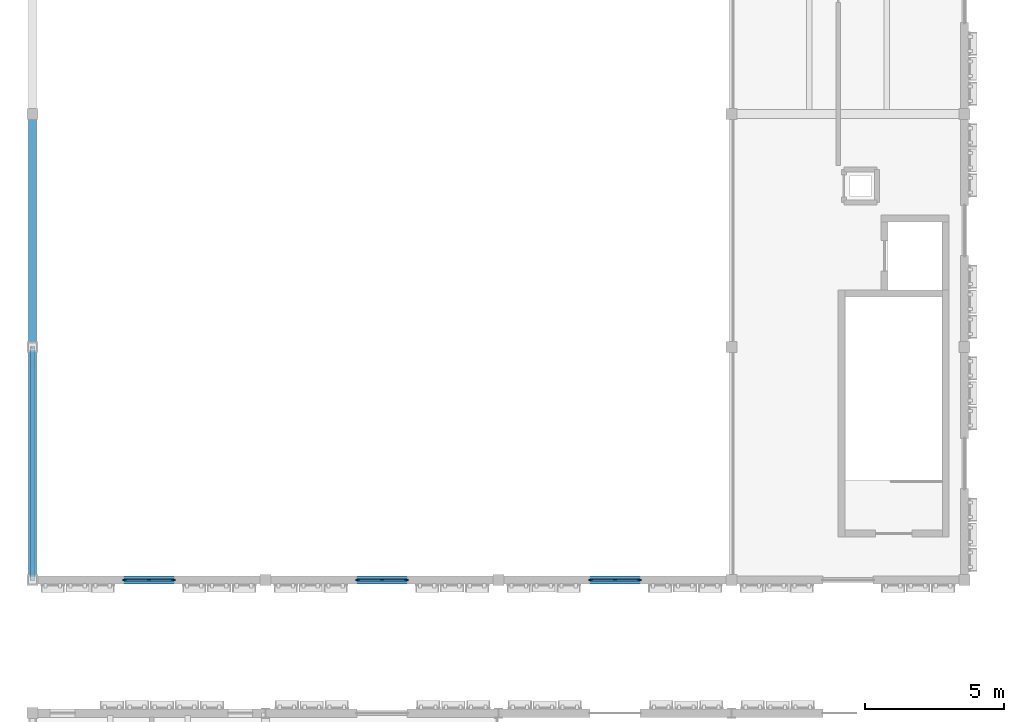
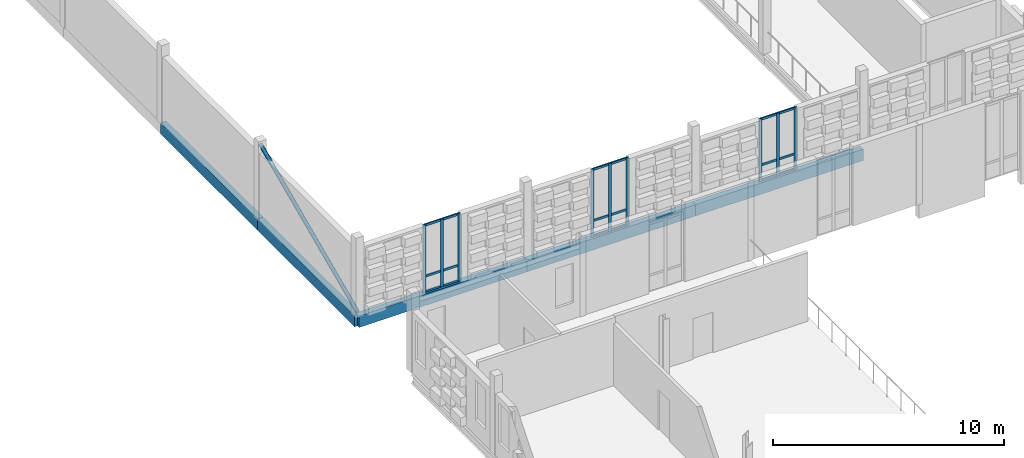
# One storey, part 9 of 81: 19 members, 5 beams, 3 elements without a shape of their own.
"""IFC4 building model written with IfcOpenShell, lengths in metres."""

from ifc_helpers import new_model, si_unit, direction, frame, origin, origin_2d, place, context, subcontext, project, spatial, rectangle, hollow_circle, extrude, material, material_profile, profile_set, type_object, element, aggregate, save


model = new_model("IFC4")

# Units and contexts
model_context = context("Model", 3, precision=1e-05, world=origin(), true_north=direction((0.0, 1.0)))
body_context = subcontext(model_context, "Body", "Model", "MODEL_VIEW")
ifc_project = project(units=[si_unit("LENGTHUNIT", "METRE"), si_unit("AREAUNIT", "SQUARE_METRE"), si_unit("VOLUMEUNIT", "CUBIC_METRE"), si_unit("PLANEANGLEUNIT", "RADIAN"), si_unit("MASSUNIT", "GRAM", prefix="KILO")], contexts=[model_context])

# Site, building, storey
site_placement = place(None, origin())
site = spatial("IfcSite", under=ifc_project, at=site_placement, CompositionType="ELEMENT")
building_placement = place(site_placement, origin())
building = spatial("IfcBuilding", under=site, at=building_placement, Name="Kahlenmark Community Centre", CompositionType="ELEMENT")
storey_placement = place(building_placement, frame((0.0, 0.0, 9.60009765625)))
storey = spatial("IfcBuildingStorey", under=building, at=storey_placement, Name="L02", CompositionType="ELEMENT", Elevation=9.60009765625)

# Beams
ifc_material_1 = material(Name="Glulam GL32h", Category="wood")
ifc_material_profile_1 = material_profile(ifc_material_1, rectangle(XDim=0.280029296875, YDim=0.60009765625, at=origin_2d()), Name="GL32h 280x600")
ifc_profile_set_1 = profile_set([ifc_material_profile_1], Name="Glulam GL32h")
beam_type = type_object("IfcBeamType", Name="BT-SPANDREL-GL32h280x600", PredefinedType="SPANDREL", material=ifc_profile_set_1)
beam_1_placement = place(storey_placement, frame((4.0, 42.39990234375, -0.300048828125), z_axis=(1.0, 0.0, 0.0), x_axis=(0.0, 1.0, 0.0)))
element("IfcBeam", 1, at=beam_1_placement, inside=storey, type_object=beam_type, Name="L02 spandrel SP-GL32h280x600", PredefinedType="SPANDREL", context=body_context, shape_type="SweptSolid", body=[
    extrude(rectangle(XDim=0.280029296875, YDim=0.60009765625, at=origin_2d()), origin(), (0.0, 0.0, 1.0), 8.39990234375),
])
beam_2_placement = place(storey_placement, frame((12.39990234375, 42.39990234375, -0.300048828125), z_axis=(1.0, 0.0, 0.0), x_axis=(0.0, 1.0, 0.0)))
element("IfcBeam", 2, at=beam_2_placement, inside=storey, type_object=beam_type, Name="L02 spandrel SP-GL32h280x600", PredefinedType="SPANDREL", context=body_context, shape_type="SweptSolid", body=[
    extrude(rectangle(XDim=0.280029296875, YDim=0.60009765625, at=origin_2d()), origin(), (0.0, 0.0, 1.0), 8.400146484375),
])
beam_3_placement = place(storey_placement, frame((20.800048828125, 42.39990234375, -0.300048828125), z_axis=(1.0, 0.0, 0.0), x_axis=(0.0, 1.0, 0.0)))
element("IfcBeam", 3, at=beam_3_placement, inside=storey, type_object=beam_type, Name="L02 spandrel SP-GL32h280x600", PredefinedType="SPANDREL", context=body_context, shape_type="SweptSolid", body=[
    extrude(rectangle(XDim=0.280029296875, YDim=0.60009765625, at=origin_2d()), origin(), (0.0, 0.0, 1.0), 8.39990234375),
])
beam_4_placement = place(storey_placement, frame((4.0, 42.39990234375, -0.300048828125), z_axis=(0.0, 1.0, 0.0), x_axis=(-1.0, 0.0, 0.0)))
element("IfcBeam", 4, at=beam_4_placement, inside=storey, type_object=beam_type, Name="L02 spandrel SP-GL32h280x600", PredefinedType="SPANDREL", context=body_context, shape_type="SweptSolid", body=[
    extrude(rectangle(XDim=0.280029296875, YDim=0.60009765625, at=origin_2d()), origin(), (0.0, 0.0, 1.0), 8.400146484375),
])
beam_5_placement = place(storey_placement, frame((4.0, 50.800048828125, -0.300048828125), z_axis=(0.0, 1.0, 0.0), x_axis=(-1.0, 0.0, 0.0)))
element("IfcBeam", 5, at=beam_5_placement, inside=storey, type_object=beam_type, Name="L02 spandrel SP-GL32h280x600", PredefinedType="SPANDREL", context=body_context, shape_type="SweptSolid", body=[
    extrude(rectangle(XDim=0.280029296875, YDim=0.60009765625, at=origin_2d()), origin(), (0.0, 0.0, 1.0), 8.39990234375),
])

# Member
ifc_material_2 = material(Name="Steel S355", Category="steel")
ifc_material_profile_2 = material_profile(ifc_material_2, hollow_circle(Radius=0.096923828125, WallThickness=0.008056640625, at=origin_2d()), Name="CHS 193.7x8")
ifc_profile_set_2 = profile_set([ifc_material_profile_2], Name="Steel S355")
member_type_1 = type_object("IfcMemberType", Name="MT-BRACE-CHS193.7x8", PredefinedType="BRACE", material=ifc_profile_set_2)
member_1_placement = place(storey_placement, frame((4.0, 42.39990234375, 0.14990234375), z_axis=(0.0, 0.913140528594, 0.407644912931), x_axis=(-1.0, 0.0, 0.0)))
element("IfcMember", 6, at=member_1_placement, inside=storey, type_object=member_type_1, Name="L02 brace BF-DIAG", PredefinedType="BRACE", context=body_context, shape_type="SweptSolid", body=[
    extrude(hollow_circle(Radius=0.096923828125, WallThickness=0.008056640625, at=origin_2d()), origin(), (0.0, 0.0, 1.0), 9.19921875),
])

# Curtain wall, members
ifc_material_3 = material(Name="Anodised aluminium unitised curtain wall", Category="aluminium")
curtain_wall_type_1 = type_object("IfcCurtainWallType", Name="CWT-UNIT-180X359", PredefinedType="USERDEFINED", material=ifc_material_3)
curtain_wall_1_placement = place(storey_placement, origin())
curtain_wall_1 = element("IfcCurtainWall", 7, at=curtain_wall_1_placement, inside=storey, type_object=curtain_wall_type_1, Name="Unitised curtain wall CW-070", ObjectType="UNITISED CURTAIN WALL", PredefinedType="USERDEFINED")
ifc_material_4 = material(Name="Anodised aluminium 6063-T6", Category="aluminium")
ifc_material_profile_3 = material_profile(ifc_material_4, rectangle(XDim=0.06005859375, YDim=0.139892578125, at=origin_2d()), Name="ALU MULLION 60x140")
ifc_profile_set_3 = profile_set([ifc_material_profile_3], Name="Anodised aluminium 6063-T6")
member_type_2 = type_object("IfcMemberType", Name="MT-MUL-140", PredefinedType="MULLION", material=ifc_profile_set_3)
member_2_placement = place(storey_placement, frame((7.330078125, 42.39990234375, 0.0), z_axis=(0.0, 0.0, 1.0), x_axis=(0.0, 1.0, 0.0)))
member_2 = element("IfcMember", 8, at=member_2_placement, type_object=member_type_2, Name="CW-070 mullion 1", PredefinedType="MULLION", context=body_context, shape_type="SweptSolid", body=[
    extrude(rectangle(XDim=0.06005859375, YDim=0.139892578125, at=origin_2d()), origin(), (0.0, 0.0, 1.0), 3.58984375),
])
member_3_placement = place(storey_placement, frame((8.199951171875, 42.39990234375, 0.0), z_axis=(0.0, 0.0, 1.0), x_axis=(0.0, 1.0, 0.0)))
member_3 = element("IfcMember", 9, at=member_3_placement, type_object=member_type_2, Name="CW-070 mullion 2", PredefinedType="MULLION", context=body_context, shape_type="SweptSolid", body=[
    extrude(rectangle(XDim=0.06005859375, YDim=0.139892578125, at=origin_2d()), origin(), (0.0, 0.0, 1.0), 3.58984375),
])
member_4_placement = place(storey_placement, frame((9.070068359375, 42.39990234375, 0.0), z_axis=(0.0, 0.0, 1.0), x_axis=(0.0, 1.0, 0.0)))
member_4 = element("IfcMember", 10, at=member_4_placement, type_object=member_type_2, Name="CW-070 mullion 3", PredefinedType="MULLION", context=body_context, shape_type="SweptSolid", body=[
    extrude(rectangle(XDim=0.06005859375, YDim=0.139892578125, at=origin_2d()), origin(), (0.0, 0.0, 1.0), 3.58984375),
])

curtain_wall_2_placement = place(storey_placement, origin())
curtain_wall_2 = element("IfcCurtainWall", 11, at=curtain_wall_2_placement, inside=storey, type_object=curtain_wall_type_1, Name="Unitised curtain wall CW-071", ObjectType="UNITISED CURTAIN WALL", PredefinedType="USERDEFINED")
member_5_placement = place(storey_placement, frame((15.72998046875, 42.39990234375, 0.0), z_axis=(0.0, 0.0, 1.0), x_axis=(0.0, 1.0, 0.0)))
member_5 = element("IfcMember", 12, at=member_5_placement, type_object=member_type_2, Name="CW-071 mullion 1", PredefinedType="MULLION", context=body_context, shape_type="SweptSolid", body=[
    extrude(rectangle(XDim=0.06005859375, YDim=0.139892578125, at=origin_2d()), origin(), (0.0, 0.0, 1.0), 3.58984375),
])
member_6_placement = place(storey_placement, frame((16.60009765625, 42.39990234375, 0.0), z_axis=(0.0, 0.0, 1.0), x_axis=(0.0, 1.0, 0.0)))
member_6 = element("IfcMember", 13, at=member_6_placement, type_object=member_type_2, Name="CW-071 mullion 2", PredefinedType="MULLION", context=body_context, shape_type="SweptSolid", body=[
    extrude(rectangle(XDim=0.06005859375, YDim=0.139892578125, at=origin_2d()), origin(), (0.0, 0.0, 1.0), 3.58984375),
])
member_7_placement = place(storey_placement, frame((17.469970703125, 42.39990234375, 0.0), z_axis=(0.0, 0.0, 1.0), x_axis=(0.0, 1.0, 0.0)))
member_7 = element("IfcMember", 14, at=member_7_placement, type_object=member_type_2, Name="CW-071 mullion 3", PredefinedType="MULLION", context=body_context, shape_type="SweptSolid", body=[
    extrude(rectangle(XDim=0.06005859375, YDim=0.139892578125, at=origin_2d()), origin(), (0.0, 0.0, 1.0), 3.58984375),
])

curtain_wall_type_2 = type_object("IfcCurtainWallType", Name="CWT-UNIT-180X331", PredefinedType="USERDEFINED", material=ifc_material_3)
curtain_wall_3_placement = place(storey_placement, origin())
curtain_wall_3 = element("IfcCurtainWall", 15, at=curtain_wall_3_placement, inside=storey, type_object=curtain_wall_type_2, Name="Unitised curtain wall CW-072", ObjectType="UNITISED CURTAIN WALL", PredefinedType="USERDEFINED")
member_8_placement = place(storey_placement, frame((24.1298828125, 42.39990234375, 0.0), z_axis=(0.0, 0.0, 1.0), x_axis=(0.0, 1.0, 0.0)))
member_8 = element("IfcMember", 16, at=member_8_placement, type_object=member_type_2, Name="CW-072 mullion 1", PredefinedType="MULLION", context=body_context, shape_type="SweptSolid", body=[
    extrude(rectangle(XDim=0.06005859375, YDim=0.139892578125, at=origin_2d()), origin(), (0.0, 0.0, 1.0), 3.309814453125),
])
member_9_placement = place(storey_placement, frame((25.0, 42.39990234375, 0.0), z_axis=(0.0, 0.0, 1.0), x_axis=(0.0, 1.0, 0.0)))
member_9 = element("IfcMember", 17, at=member_9_placement, type_object=member_type_2, Name="CW-072 mullion 2", PredefinedType="MULLION", context=body_context, shape_type="SweptSolid", body=[
    extrude(rectangle(XDim=0.06005859375, YDim=0.139892578125, at=origin_2d()), origin(), (0.0, 0.0, 1.0), 3.309814453125),
])
member_10_placement = place(storey_placement, frame((25.8701171875, 42.39990234375, 0.0), z_axis=(0.0, 0.0, 1.0), x_axis=(0.0, 1.0, 0.0)))
member_10 = element("IfcMember", 18, at=member_10_placement, type_object=member_type_2, Name="CW-072 mullion 3", PredefinedType="MULLION", context=body_context, shape_type="SweptSolid", body=[
    extrude(rectangle(XDim=0.06005859375, YDim=0.139892578125, at=origin_2d()), origin(), (0.0, 0.0, 1.0), 3.309814453125),
])

# Member
ifc_material_profile_4 = material_profile(ifc_material_4, rectangle(XDim=0.06005859375, YDim=0.1201171875, at=origin_2d()), Name="ALU TRANSOM 60x120")
ifc_profile_set_4 = profile_set([ifc_material_profile_4], Name="Anodised aluminium 6063-T6")
member_type_3 = type_object("IfcMemberType", Name="MT-TRN-120", PredefinedType="USERDEFINED", material=ifc_profile_set_4)
member_11_placement = place(storey_placement, frame((7.330078125, 42.39990234375, 0.039794921875), z_axis=(1.0, 0.0, 0.0), x_axis=(0.0, 1.0, 0.0)))
member_11 = element("IfcMember", 19, at=member_11_placement, type_object=member_type_3, Name="CW-070 transom 1", ObjectType="TRANSOM", PredefinedType="USERDEFINED", context=body_context, shape_type="SweptSolid", body=[
    extrude(rectangle(XDim=0.06005859375, YDim=0.1201171875, at=origin_2d()), origin(), (0.0, 0.0, 1.0), 1.739990234375),
])

member_12_placement = place(storey_placement, frame((7.330078125, 42.39990234375, 0.849853515625), z_axis=(1.0, 0.0, 0.0), x_axis=(0.0, 1.0, 0.0)))
member_12 = element("IfcMember", 20, at=member_12_placement, type_object=member_type_3, Name="CW-070 transom 2", ObjectType="TRANSOM", PredefinedType="USERDEFINED", context=body_context, shape_type="SweptSolid", body=[
    extrude(rectangle(XDim=0.06005859375, YDim=0.1201171875, at=origin_2d()), origin(), (0.0, 0.0, 1.0), 1.739990234375),
])

member_13_placement = place(storey_placement, frame((7.330078125, 42.39990234375, 3.5498046875), z_axis=(1.0, 0.0, 0.0), x_axis=(0.0, 1.0, 0.0)))
member_13 = element("IfcMember", 21, at=member_13_placement, type_object=member_type_3, Name="CW-070 transom 3", ObjectType="TRANSOM", PredefinedType="USERDEFINED", context=body_context, shape_type="SweptSolid", body=[
    extrude(rectangle(XDim=0.06005859375, YDim=0.1201171875, at=origin_2d()), origin(), (0.0, 0.0, 1.0), 1.739990234375),
])

aggregate(curtain_wall_1, [member_2, member_3, member_4, member_11, member_12, member_13])

member_14_placement = place(storey_placement, frame((15.72998046875, 42.39990234375, 0.039794921875), z_axis=(1.0, 0.0, 0.0), x_axis=(0.0, 1.0, 0.0)))
member_14 = element("IfcMember", 22, at=member_14_placement, type_object=member_type_3, Name="CW-071 transom 1", ObjectType="TRANSOM", PredefinedType="USERDEFINED", context=body_context, shape_type="SweptSolid", body=[
    extrude(rectangle(XDim=0.06005859375, YDim=0.1201171875, at=origin_2d()), origin(), (0.0, 0.0, 1.0), 1.739990234375),
])

member_15_placement = place(storey_placement, frame((15.72998046875, 42.39990234375, 0.849853515625), z_axis=(1.0, 0.0, 0.0), x_axis=(0.0, 1.0, 0.0)))
member_15 = element("IfcMember", 23, at=member_15_placement, type_object=member_type_3, Name="CW-071 transom 2", ObjectType="TRANSOM", PredefinedType="USERDEFINED", context=body_context, shape_type="SweptSolid", body=[
    extrude(rectangle(XDim=0.06005859375, YDim=0.1201171875, at=origin_2d()), origin(), (0.0, 0.0, 1.0), 1.739990234375),
])

member_16_placement = place(storey_placement, frame((15.72998046875, 42.39990234375, 3.5498046875), z_axis=(1.0, 0.0, 0.0), x_axis=(0.0, 1.0, 0.0)))
member_16 = element("IfcMember", 24, at=member_16_placement, type_object=member_type_3, Name="CW-071 transom 3", ObjectType="TRANSOM", PredefinedType="USERDEFINED", context=body_context, shape_type="SweptSolid", body=[
    extrude(rectangle(XDim=0.06005859375, YDim=0.1201171875, at=origin_2d()), origin(), (0.0, 0.0, 1.0), 1.739990234375),
])

aggregate(curtain_wall_2, [member_5, member_6, member_7, member_14, member_15, member_16])

member_17_placement = place(storey_placement, frame((24.1298828125, 42.39990234375, 0.039794921875), z_axis=(1.0, 0.0, 0.0), x_axis=(0.0, 1.0, 0.0)))
member_17 = element("IfcMember", 25, at=member_17_placement, type_object=member_type_3, Name="CW-072 transom 1", ObjectType="TRANSOM", PredefinedType="USERDEFINED", context=body_context, shape_type="SweptSolid", body=[
    extrude(rectangle(XDim=0.06005859375, YDim=0.1201171875, at=origin_2d()), origin(), (0.0, 0.0, 1.0), 1.740234375),
])

member_18_placement = place(storey_placement, frame((24.1298828125, 42.39990234375, 0.849853515625), z_axis=(1.0, 0.0, 0.0), x_axis=(0.0, 1.0, 0.0)))
member_18 = element("IfcMember", 26, at=member_18_placement, type_object=member_type_3, Name="CW-072 transom 2", ObjectType="TRANSOM", PredefinedType="USERDEFINED", context=body_context, shape_type="SweptSolid", body=[
    extrude(rectangle(XDim=0.06005859375, YDim=0.1201171875, at=origin_2d()), origin(), (0.0, 0.0, 1.0), 1.740234375),
])

member_19_placement = place(storey_placement, frame((24.1298828125, 42.39990234375, 3.27001953125), z_axis=(1.0, 0.0, 0.0), x_axis=(0.0, 1.0, 0.0)))
member_19 = element("IfcMember", 27, at=member_19_placement, type_object=member_type_3, Name="CW-072 transom 3", ObjectType="TRANSOM", PredefinedType="USERDEFINED", context=body_context, shape_type="SweptSolid", body=[
    extrude(rectangle(XDim=0.06005859375, YDim=0.1201171875, at=origin_2d()), origin(), (0.0, 0.0, 1.0), 1.740234375),
])

aggregate(curtain_wall_3, [member_8, member_9, member_10, member_17, member_18, member_19])

save(model, "model.ifc")
